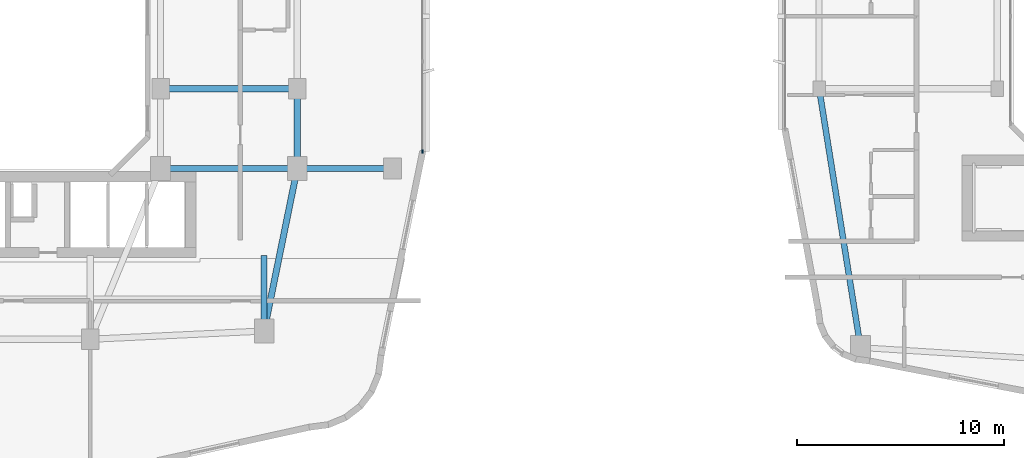
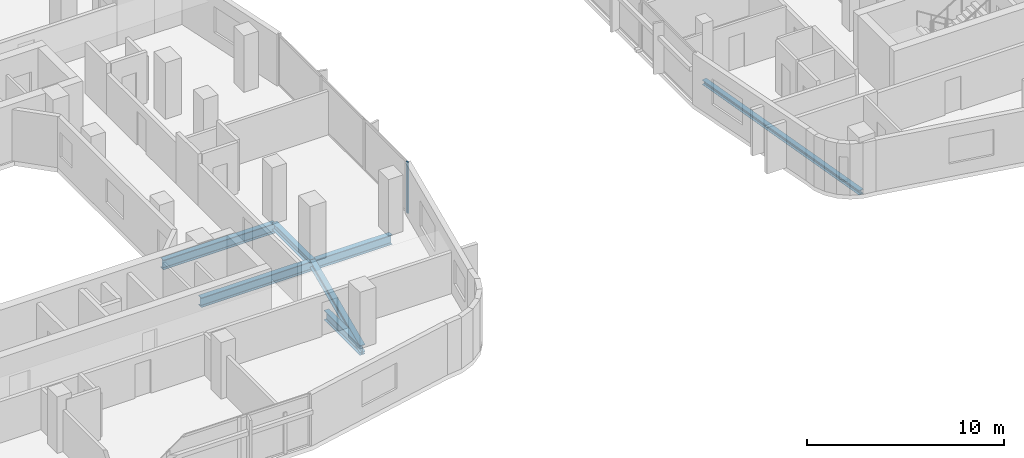
# One storey, part 4 of 25: 7 beams, 1 member, 1 element without a shape of its own.
"""IFC4 building model written with IfcOpenShell, lengths in metres."""

from ifc_helpers import new_model, si_unit, derived_unit, direction, frame, origin, origin_2d, place, context, subcontext, project, spatial, rectangle, i_section, extrude, material, layer, layer_set, material_profile, profile_set, type_object, element, aggregate, save


model = new_model("IFC4")

# Units and contexts
model_context = context("Model", 3, precision=1e-05, world=origin(), true_north=direction((0.0, 1.0)))
body_context = subcontext(model_context, "Body", "Model", "MODEL_VIEW")
ifc_project = project(units=[si_unit("LENGTHUNIT", "METRE"), si_unit("AREAUNIT", "SQUARE_METRE"), si_unit("VOLUMEUNIT", "CUBIC_METRE"), si_unit("PLANEANGLEUNIT", "RADIAN"), si_unit("MASSUNIT", "GRAM", prefix="KILO"), derived_unit("THERMALTRANSMITTANCEUNIT", [(si_unit("POWERUNIT", "WATT"), 1), (si_unit("LENGTHUNIT", "METRE"), -2), (si_unit("THERMODYNAMICTEMPERATUREUNIT", "KELVIN"), -1)])], contexts=[model_context])

# Site, building, storey
site_placement = place(None, origin())
site = spatial("IfcSite", under=ifc_project, at=site_placement, CompositionType="ELEMENT")
building_placement = place(site_placement, origin())
building = spatial("IfcBuilding", under=site, at=building_placement, Name="Kivonza Crest Hotel", CompositionType="ELEMENT")
storey_placement = place(building_placement, frame((0.0, 0.0, 87.0)))
storey = spatial("IfcBuildingStorey", under=building, at=storey_placement, Name="L23", CompositionType="ELEMENT", Elevation=87.0)

# Beams
ifc_material_1 = material(Name="Steel S355", Category="steel")
ifc_material_profile_1 = material_profile(ifc_material_1, i_section(OverallWidth=0.280029296875, OverallDepth=0.280029296875, WebThickness=0.010498046875, FlangeThickness=0.01806640625, FilletRadius=0.02392578125, at=origin_2d()), Name="HEB 280")
ifc_profile_set_1 = profile_set([ifc_material_profile_1], Name="Steel S355")
beam_type_1 = type_object("IfcBeamType", Name="BM-HEB280", PredefinedType="SPANDREL", material=ifc_profile_set_1)
beam_1_placement = place(storey_placement, frame((61.0, 21.5, -0.389892578125), z_axis=(0.157990501107, -0.987440631917, 0.0), x_axis=(0.987440631917, 0.157990501107, 0.0)))
element("IfcBeam", 1, at=beam_1_placement, inside=storey, type_object=beam_type_1, Name="Companion Tower T2 L23 perimeter spandrel W1-SW", PredefinedType="SPANDREL", context=body_context, shape_type="SweptSolid", body=[
    extrude(i_section(OverallWidth=0.280029296875, OverallDepth=0.280029296875, WebThickness=0.010498046875, FlangeThickness=0.01806640625, FilletRadius=0.02392578125, at=origin_2d()), origin(), (0.0, 0.0, 1.0), 12.658935546875),
])
ifc_material_profile_2 = material_profile(ifc_material_1, i_section(OverallWidth=0.300048828125, OverallDepth=0.449951171875, WebThickness=0.013916015625, FlangeThickness=0.02587890625, FilletRadius=0.027099609375, at=origin_2d()), Name="HEB 450")
ifc_profile_set_2 = profile_set([ifc_material_profile_2], Name="Steel S355")
beam_type_2 = type_object("IfcBeamType", Name="BM-HEB450", PredefinedType="SPANDREL", material=ifc_profile_set_2)
beam_2_placement = place(storey_placement, frame((34.199951171875, 9.800048828125, -0.5048828125), z_axis=(0.199730733965, 0.979850822273, 0.0), x_axis=(-0.979850822273, 0.199730733965, 0.0)))
element("IfcBeam", 2, at=beam_2_placement, inside=storey, type_object=beam_type_2, Name="Tower T1 L23 perimeter spandrel SE-PSE", PredefinedType="SPANDREL", context=body_context, shape_type="SweptSolid", body=[
    extrude(i_section(OverallWidth=0.300048828125, OverallDepth=0.449951171875, WebThickness=0.013916015625, FlangeThickness=0.02587890625, FilletRadius=0.027099609375, at=origin_2d()), origin(), (0.0, 0.0, 1.0), 8.01123046875),
])
beam_3_placement = place(storey_placement, frame((35.800048828125, 17.64990234375, -0.5048828125), z_axis=(0.0, 1.0, 0.0), x_axis=(-1.0, 0.0, 0.0)))
element("IfcBeam", 3, at=beam_3_placement, inside=storey, type_object=beam_type_2, Name="Tower T1 L23 perimeter spandrel PSE-E1", PredefinedType="SPANDREL", context=body_context, shape_type="SweptSolid", body=[
    extrude(i_section(OverallWidth=0.300048828125, OverallDepth=0.449951171875, WebThickness=0.013916015625, FlangeThickness=0.02587890625, FilletRadius=0.027099609375, at=origin_2d()), origin(), (0.0, 0.0, 1.0), 3.85009765625),
])
ifc_material_profile_3 = material_profile(ifc_material_1, i_section(OverallWidth=0.300048828125, OverallDepth=0.60009765625, WebThickness=0.015380859375, FlangeThickness=0.030029296875, FilletRadius=0.027099609375, at=origin_2d()), Name="HEB 600")
ifc_profile_set_3 = profile_set([ifc_material_profile_3], Name="Steel S355")
beam_type_3 = type_object("IfcBeamType", Name="BM-HEB600", PredefinedType="BEAM", material=ifc_profile_set_3)
for number, where, z_axis, x_axis, name in (
    (4, (29.199951171875, 17.64990234375, -0.580078125), (1.0, 0.0, 0.0), (0.0, 1.0, 0.0), "Tower T1 L23 primary girder TSE-PSE"),
    (5, (29.199951171875, 21.5, -0.580078125), (1.0, 0.0, 0.0), (0.0, 1.0, 0.0), "Tower T1 L23 primary girder WR1-E1"),
):
    element("IfcBeam", number, at=place(storey_placement, frame(where, z_axis=z_axis, x_axis=x_axis)), inside=storey, type_object=beam_type_3, Name=name, PredefinedType="BEAM", context=body_context, shape_type="SweptSolid", body=[
        extrude(i_section(OverallWidth=0.300048828125, OverallDepth=0.60009765625, WebThickness=0.015380859375, FlangeThickness=0.030029296875, FilletRadius=0.027099609375, at=origin_2d()), origin(), (0.0, 0.0, 1.0), 6.60009765625),
    ])
beam_4_placement = place(storey_placement, frame((40.39990234375, 17.64990234375, -0.580078125), z_axis=(-1.0, 0.0, 0.0), x_axis=(0.0, -1.0, 0.0)))
element("IfcBeam", 6, at=beam_4_placement, inside=storey, type_object=beam_type_3, Name="Tower T1 L23 outer bay girder ZE1", PredefinedType="BEAM", context=body_context, shape_type="SweptSolid", body=[
    extrude(i_section(OverallWidth=0.300048828125, OverallDepth=0.60009765625, WebThickness=0.015380859375, FlangeThickness=0.030029296875, FilletRadius=0.027099609375, at=origin_2d()), origin(), (0.0, 0.0, 1.0), 4.599853515625),
])
beam_5_placement = place(storey_placement, frame((34.199951171875, 9.800048828125, -0.580078125), z_axis=(0.0, 1.0, 0.0), x_axis=(-1.0, 0.0, 0.0)))
element("IfcBeam", 7, at=beam_5_placement, inside=storey, type_object=beam_type_3, Name="Tower T1 L23 radial core girder RSE", PredefinedType="BEAM", context=body_context, shape_type="SweptSolid", body=[
    extrude(i_section(OverallWidth=0.300048828125, OverallDepth=0.60009765625, WebThickness=0.015380859375, FlangeThickness=0.030029296875, FilletRadius=0.027099609375, at=origin_2d()), origin(), (0.0, 0.0, 1.0), 3.64990234375),
])

# Curtain wall, member
ifc_material_2 = material(Name="Anodised bronze aluminium and low-E double glazing", Category="aluminium")
ifc_layer = layer(ifc_material_2, 0.179931640625)
ifc_layer_set = layer_set([ifc_layer], Name="Anodised bronze aluminium and low-E double glazing")
curtain_wall_type = type_object("IfcCurtainWallType", Name="CW-SYS-2", PredefinedType="NOTDEFINED", material=ifc_layer_set)
curtain_wall_placement = place(storey_placement, origin())
curtain_wall = element("IfcCurtainWall", 8, at=curtain_wall_placement, inside=storey, type_object=curtain_wall_type, Name="L23 unitised curtain wall CW-T1-L23-17", PredefinedType="NOTDEFINED")
ifc_material_3 = material(Name="Anodised bronze aluminium", Category="aluminium")
ifc_material_profile_4 = material_profile(ifc_material_3, rectangle(XDim=0.06494140625, YDim=0.179931640625, at=origin_2d()), Name="CW-M 65x180")
ifc_profile_set_4 = profile_set([ifc_material_profile_4], Name="Anodised bronze aluminium")
member_type = type_object("IfcMemberType", Name="CW-MUL-65x180", PredefinedType="MULLION", material=ifc_profile_set_4)
member_placement = place(storey_placement, frame((41.840087890625, 18.472412109375, 0.0), z_axis=(0.0, 0.0, 1.0), x_axis=(-1.0, 0.0, 0.0)))
member = element("IfcMember", 9, at=member_placement, type_object=member_type, Name="CW-2 mullion 1", PredefinedType="MULLION", context=body_context, shape_type="SweptSolid", body=[
    extrude(rectangle(XDim=0.06494140625, YDim=0.179931640625, at=origin_2d()), origin(), (0.0, 0.0, 1.0), 3.179931640625),
])
aggregate(curtain_wall, [member])

save(model, "model.ifc")
